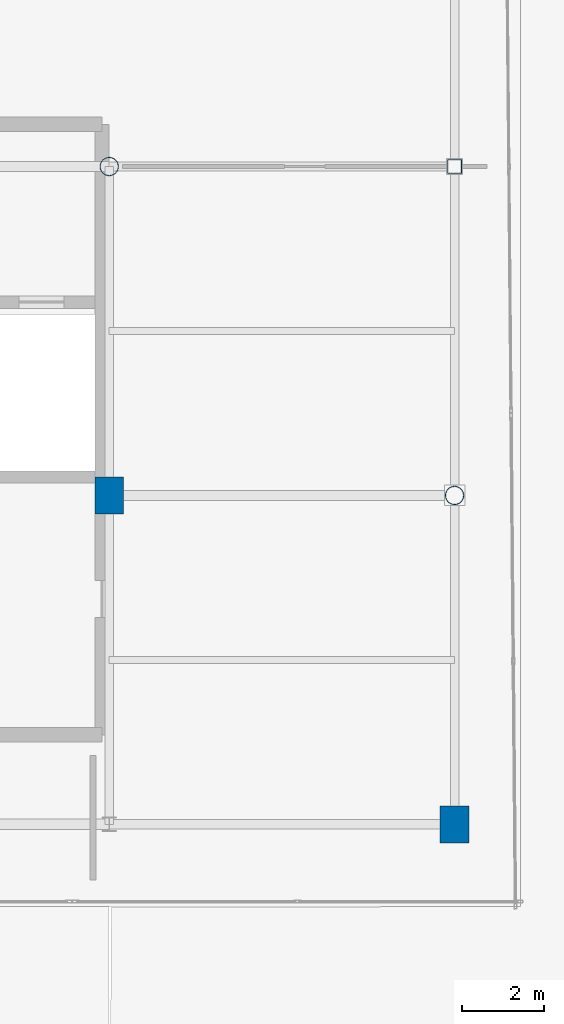
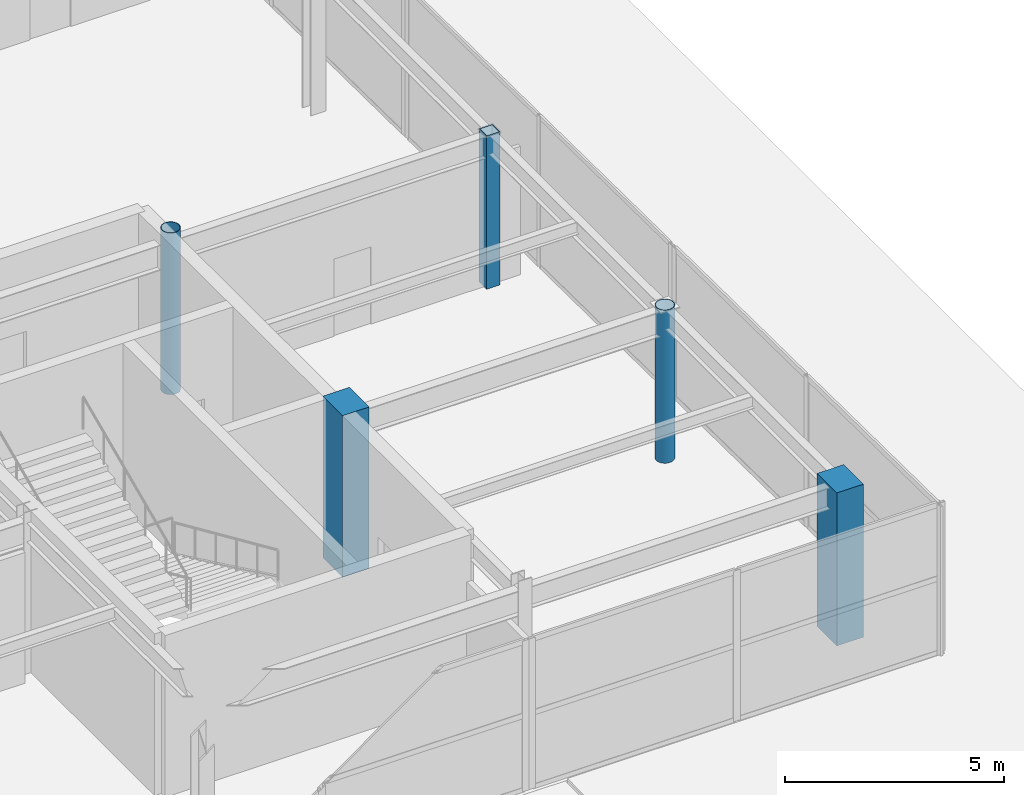
# One storey, part 11 of 107: 5 columns.
"""IFC4 building model written with IfcOpenShell, lengths in metres."""

from ifc_helpers import new_model, si_unit, direction, frame, origin, origin_2d, place, context, subcontext, project, spatial, rectangle, hollow_rectangle, hollow_circle, extrude, material, material_profile, profile_set, type_object, element, save


model = new_model("IFC4")

# Units and contexts
model_context = context("Model", 3, precision=1e-05, world=origin(), true_north=direction((0.0, 1.0)))
body_context = subcontext(model_context, "Body", "Model", "MODEL_VIEW")
ifc_project = project(units=[si_unit("LENGTHUNIT", "METRE"), si_unit("AREAUNIT", "SQUARE_METRE"), si_unit("VOLUMEUNIT", "CUBIC_METRE"), si_unit("PLANEANGLEUNIT", "RADIAN"), si_unit("MASSUNIT", "GRAM", prefix="KILO")], contexts=[model_context])

# Site, building, storey
site_placement = place(None, origin())
site = spatial("IfcSite", under=ifc_project, at=site_placement, CompositionType="ELEMENT")
building_placement = place(site_placement, origin())
building = spatial("IfcBuilding", under=site, at=building_placement, Name="Kalgoora Escarpment Arena", CompositionType="ELEMENT")
storey_placement = place(building_placement, frame((0.0, 0.0, 5.39990234375)))
storey = spatial("IfcBuildingStorey", under=building, at=storey_placement, Name="L01", CompositionType="ELEMENT", Elevation=5.39990234375)

# Columns
ifc_material_1 = material(Name="Structural steel C450 (450 MPa)", Category="steel")
ifc_material_profile_1 = material_profile(ifc_material_1, hollow_rectangle(XDim=0.35009765625, YDim=0.35009765625, WallThickness=0.01611328125, at=origin_2d()))
ifc_profile_set_1 = profile_set([ifc_material_profile_1], Name="Structural steel C450 (450 MPa)")
column_type_1 = type_object("IfcColumnType", Name="COL-COL-350x350x16.0SHS", PredefinedType="COLUMN", material=ifc_profile_set_1)
column_1_placement = place(storey_placement, frame((176.39990234375, 24.0, 0.0), z_axis=(0.0, 0.0, 1.0), x_axis=(1.0, 0.0, 0.0)))
element("IfcColumn", 1, at=column_1_placement, inside=storey, type_object=column_type_1, Name="L01 structural column COL-G22-D", PredefinedType="COLUMN", context=body_context, shape_type="SweptSolid", body=[
    extrude(hollow_rectangle(XDim=0.35009765625, YDim=0.35009765625, WallThickness=0.01611328125, at=origin_2d()), origin(), (0.0, 0.0, 1.0), 4.260009765625),
])
ifc_material_2 = material(Name="Structural steel C350 (350 MPa)", Category="steel")
ifc_material_profile_2 = material_profile(ifc_material_2, hollow_circle(Radius=0.228515625, WallThickness=0.01611328125, at=origin_2d()))
ifc_profile_set_2 = profile_set([ifc_material_profile_2], Name="Structural steel C350 (350 MPa)")
column_type_2 = type_object("IfcColumnType", Name="COL-COL-457.0x16.0CHS", PredefinedType="COLUMN", material=ifc_profile_set_2)
column_2_placement = place(storey_placement, frame((168.0, 24.0, 0.0), z_axis=(0.0, 0.0, 1.0), x_axis=(1.0, 0.0, 0.0)))
element("IfcColumn", 2, at=column_2_placement, inside=storey, type_object=column_type_2, Name="L01 structural column COL-G21-D", PredefinedType="COLUMN", context=body_context, shape_type="SweptSolid", body=[
    extrude(hollow_circle(Radius=0.228515625, WallThickness=0.01611328125, at=origin_2d()), origin(), (0.0, 0.0, 1.0), 4.5),
])
column_3_placement = place(storey_placement, frame((176.39990234375, 16.0, 0.0), z_axis=(0.0, 0.0, 1.0), x_axis=(1.0, 0.0, 0.0)))
element("IfcColumn", 3, at=column_3_placement, inside=storey, type_object=column_type_2, Name="L01 structural column COL-G22-C", PredefinedType="COLUMN", context=body_context, shape_type="SweptSolid", body=[
    extrude(hollow_circle(Radius=0.228515625, WallThickness=0.01611328125, at=origin_2d()), origin(), (0.0, 0.0, 1.0), 4.260009765625),
])
ifc_material_3 = material(Name="Concrete N50 (fc' 50 MPa)", Category="concrete")
ifc_material_profile_3 = material_profile(ifc_material_3, rectangle(XDim=0.699951171875, YDim=0.89990234375, at=origin_2d()))
ifc_profile_set_3 = profile_set([ifc_material_profile_3], Name="Concrete N50 (fc' 50 MPa)")
column_type_3 = type_object("IfcColumnType", Name="COL-COL-RC900x700", PredefinedType="COLUMN", material=ifc_profile_set_3)
column_4_placement = place(storey_placement, frame((168.0, 16.0, 0.0), z_axis=(0.0, 0.0, 1.0), x_axis=(1.0, 0.0, 0.0)))
element("IfcColumn", 4, at=column_4_placement, inside=storey, type_object=column_type_3, Name="L01 structural column COL-G21-C", PredefinedType="COLUMN", context=body_context, shape_type="SweptSolid", body=[
    extrude(rectangle(XDim=0.699951171875, YDim=0.89990234375, at=origin_2d()), origin(), (0.0, 0.0, 1.0), 4.5),
])
column_5_placement = place(storey_placement, frame((176.39990234375, 8.0, 0.0), z_axis=(0.0, 0.0, 1.0), x_axis=(1.0, 0.0, 0.0)))
element("IfcColumn", 5, at=column_5_placement, inside=storey, type_object=column_type_3, Name="L01 structural column COL-G22-B", PredefinedType="COLUMN", context=body_context, shape_type="SweptSolid", body=[
    extrude(rectangle(XDim=0.699951171875, YDim=0.89990234375, at=origin_2d()), origin(), (0.0, 0.0, 1.0), 4.260009765625),
])

save(model, "model.ifc")
